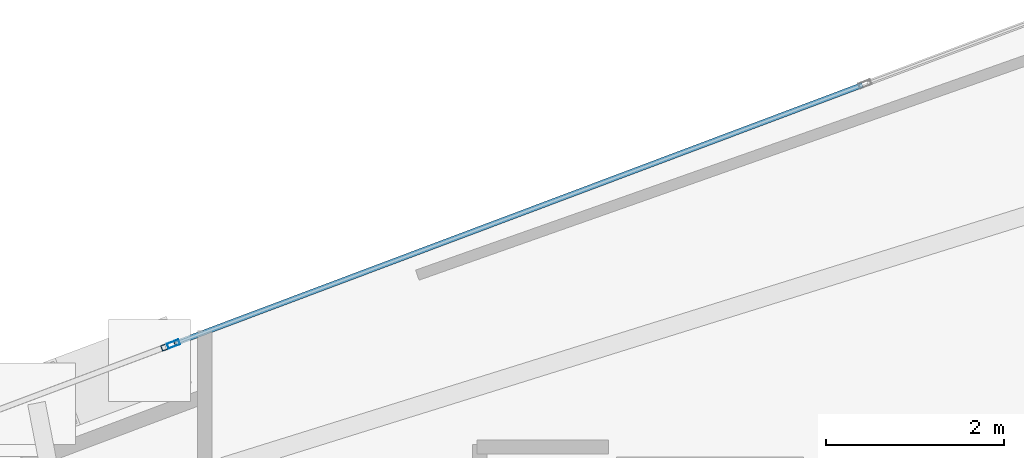
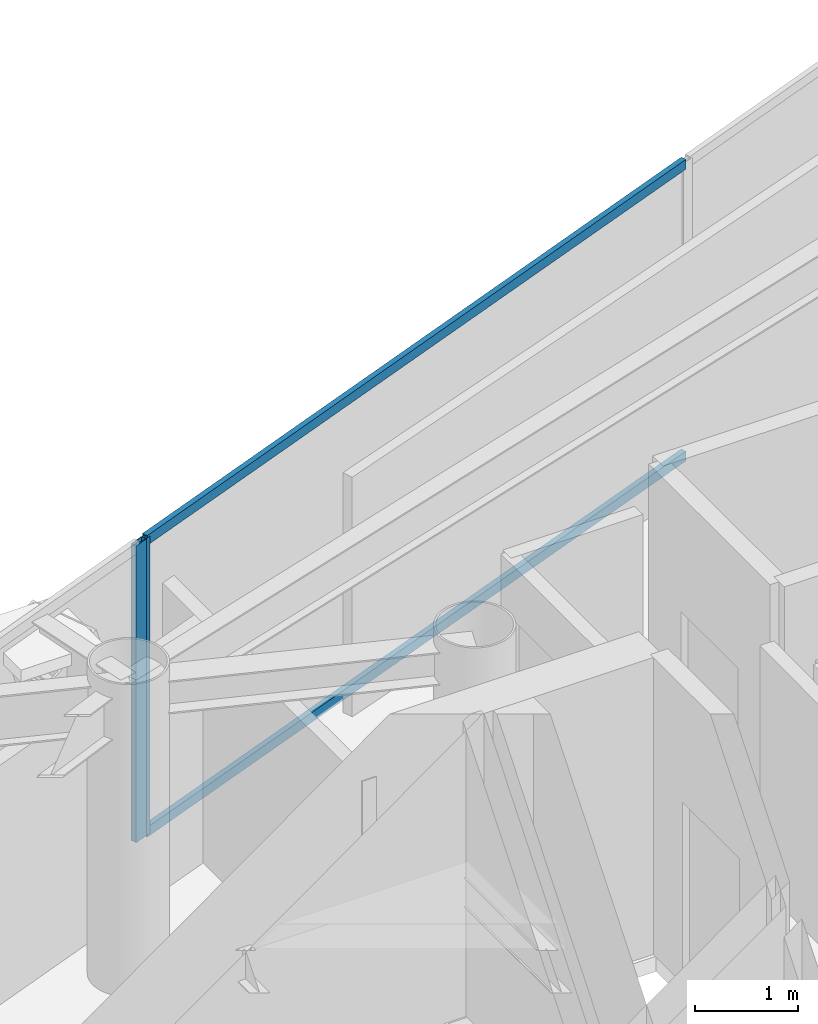
# One storey, part 12 of 19: 4 members, 2 elements without a shape of their own.
"""IFC4 building model written with IfcOpenShell, lengths in metres."""

from ifc_helpers import new_model, si_unit, direction, frame, origin, origin_2d, place, context, subcontext, project, spatial, hollow_rectangle, extrude, material, layer, layer_set, material_profile, profile_set, type_object, element, aggregate, save


model = new_model("IFC4")

# Units and contexts
model_context = context("Model", 3, precision=1e-05, world=origin(), true_north=direction((0.0, 1.0)))
body_context = subcontext(model_context, "Body", "Model", "MODEL_VIEW")
ifc_project = project(units=[si_unit("LENGTHUNIT", "METRE"), si_unit("AREAUNIT", "SQUARE_METRE"), si_unit("VOLUMEUNIT", "CUBIC_METRE"), si_unit("PLANEANGLEUNIT", "RADIAN"), si_unit("MASSUNIT", "GRAM", prefix="KILO")], contexts=[model_context])

# Site, building, storey
site_placement = place(None, origin())
site = spatial("IfcSite", under=ifc_project, at=site_placement, CompositionType="ELEMENT")
building_placement = place(site_placement, origin())
building = spatial("IfcBuilding", under=site, at=building_placement, Name="Qianvela Tower", CompositionType="ELEMENT")
storey_placement = place(building_placement, frame((0.0, 0.0, 340.699951171875)))
storey = spatial("IfcBuildingStorey", under=building, at=storey_placement, Name="L88", CompositionType="ELEMENT", Elevation=340.699951171875)

# Curtain wall, member
ifc_material_1 = material(Name="Anodised Architectural Aluminium and Insulated Spandrel Panel", Category="aluminium")
ifc_layer_1 = layer(ifc_material_1, 0.179931640625)
ifc_layer_set_1 = layer_set([ifc_layer_1], Name="Anodised Architectural Aluminium and Insulated Spandrel Panel")
curtain_wall_type_1 = type_object("IfcCurtainWallType", Name="CW-BRACEBAY", PredefinedType="USERDEFINED", material=ifc_layer_set_1)
curtain_wall_1_placement = place(storey_placement, origin())
curtain_wall_1 = element("IfcCurtainWall", 1, at=curtain_wall_1_placement, inside=storey, type_object=curtain_wall_type_1, Name="L88 CW-BRACEBAY Curtain Wall 02B", ObjectType="CURTAIN_WALL_SYSTEM", PredefinedType="USERDEFINED")
ifc_material_2 = material(Name="Anodised Architectural Aluminium 6063-T6", Category="aluminium")
ifc_material_profile_1 = material_profile(ifc_material_2, hollow_rectangle(XDim=0.06494140625, YDim=0.159912109375, WallThickness=0.0048828125, at=origin_2d()), Name="ALU-MULL-65x160")
ifc_profile_set_1 = profile_set([ifc_material_profile_1], Name="Anodised Architectural Aluminium 6063-T6")
member_type_1 = type_object("IfcMemberType", Name="CW-BRACEBAY-MULL", PredefinedType="MULLION", material=ifc_profile_set_1)
member_1_placement = place(storey_placement, frame((36.40869140625, 36.6259765625, 0.0), z_axis=(0.0, 0.0, 1.0), x_axis=(0.351961679533, -0.93601441022, 0.0)))
member_1 = element("IfcMember", 2, at=member_1_placement, type_object=member_type_1, Name="CW-9 mullion 1", PredefinedType="MULLION", context=body_context, shape_type="SweptSolid", body=[
    extrude(hollow_rectangle(XDim=0.06494140625, YDim=0.159912109375, WallThickness=0.0048828125, at=origin_2d()), origin(), (0.0, 0.0, 1.0), 3.52001953125),
])
aggregate(curtain_wall_1, [member_1])

# Curtain wall, members
ifc_material_3 = material(Name="Anodised Architectural Aluminium and Low-E Glass", Category="aluminium")
ifc_layer_2 = layer(ifc_material_3, 0.14990234375)
ifc_layer_set_2 = layer_set([ifc_layer_2], Name="Anodised Architectural Aluminium and Low-E Glass")
curtain_wall_type_2 = type_object("IfcCurtainWallType", Name="CW-COLIV-Z78", PredefinedType="USERDEFINED", material=ifc_layer_set_2)
curtain_wall_2_placement = place(storey_placement, origin())
curtain_wall_2 = element("IfcCurtainWall", 3, at=curtain_wall_2_placement, inside=storey, type_object=curtain_wall_type_2, Name="L88 CW-COLIV-Z78 Curtain Wall 02A", ObjectType="CURTAIN_WALL_SYSTEM", PredefinedType="USERDEFINED")
ifc_material_4 = material(Name="Anodised Architectural Aluminium 6063-T6", Category="aluminium")
ifc_material_profile_2 = material_profile(ifc_material_4, hollow_rectangle(XDim=0.06005859375, YDim=0.139892578125, WallThickness=0.00439453125, at=origin_2d()), Name="ALU-MULL-60x140")
ifc_profile_set_2 = profile_set([ifc_material_profile_2], Name="Anodised Architectural Aluminium 6063-T6")
member_type_2 = type_object("IfcMemberType", Name="CW-COLIV-Z78-MULL", PredefinedType="MULLION", material=ifc_profile_set_2)
member_2_placement = place(storey_placement, frame((36.46728515625, 36.64794921875, 0.0), z_axis=(0.0, 0.0, 1.0), x_axis=(0.351955574694, -0.936016705749, 0.0)))
member_2 = element("IfcMember", 4, at=member_2_placement, type_object=member_type_2, Name="CW-6 mullion 3", PredefinedType="MULLION", context=body_context, shape_type="SweptSolid", body=[
    extrude(hollow_rectangle(XDim=0.06005859375, YDim=0.139892578125, WallThickness=0.00439453125, at=origin_2d()), origin(), (0.0, 0.0, 1.0), 3.52001953125),
])
ifc_material_5 = material(Name="Anodised Architectural Aluminium 6063-T6", Category="aluminium")
ifc_material_profile_3 = material_profile(ifc_material_5, hollow_rectangle(XDim=0.06005859375, YDim=0.114990234375, WallThickness=0.00390625, at=origin_2d()), Name="ALU-TRAN-60x115")
ifc_profile_set_3 = profile_set([ifc_material_profile_3], Name="Anodised Architectural Aluminium 6063-T6")
member_type_3 = type_object("IfcMemberType", Name="CW-COLIV-Z78-TRAN", PredefinedType="USERDEFINED", material=ifc_profile_set_3)
member_3_placement = place(storey_placement, frame((44.212646484375, 39.560302734375, 0.030029296875), z_axis=(-0.936014841799, -0.351960531782, 0.0), x_axis=(0.351960531782, -0.936014841799, 0.0)))
member_3 = element("IfcMember", 5, at=member_3_placement, type_object=member_type_3, Name="CW-6 transom 2.1", ObjectType="TRANSOM", PredefinedType="USERDEFINED", context=body_context, shape_type="SweptSolid", body=[
    extrude(hollow_rectangle(XDim=0.06005859375, YDim=0.114990234375, WallThickness=0.00390625, at=origin_2d()), origin(), (0.0, 0.0, 1.0), 8.244873046875),
])
member_4_placement = place(storey_placement, frame((44.212646484375, 39.560302734375, 3.489990234375), z_axis=(-0.936014841799, -0.351960531782, 0.0), x_axis=(0.351960531782, -0.936014841799, 0.0)))
member_4 = element("IfcMember", 6, at=member_4_placement, type_object=member_type_3, Name="CW-6 transom 2.2", ObjectType="TRANSOM", PredefinedType="USERDEFINED", context=body_context, shape_type="SweptSolid", body=[
    extrude(hollow_rectangle(XDim=0.06005859375, YDim=0.114990234375, WallThickness=0.00390625, at=origin_2d()), origin(), (0.0, 0.0, 1.0), 8.244873046875),
])
aggregate(curtain_wall_2, [member_2, member_3, member_4])

save(model, "model.ifc")
